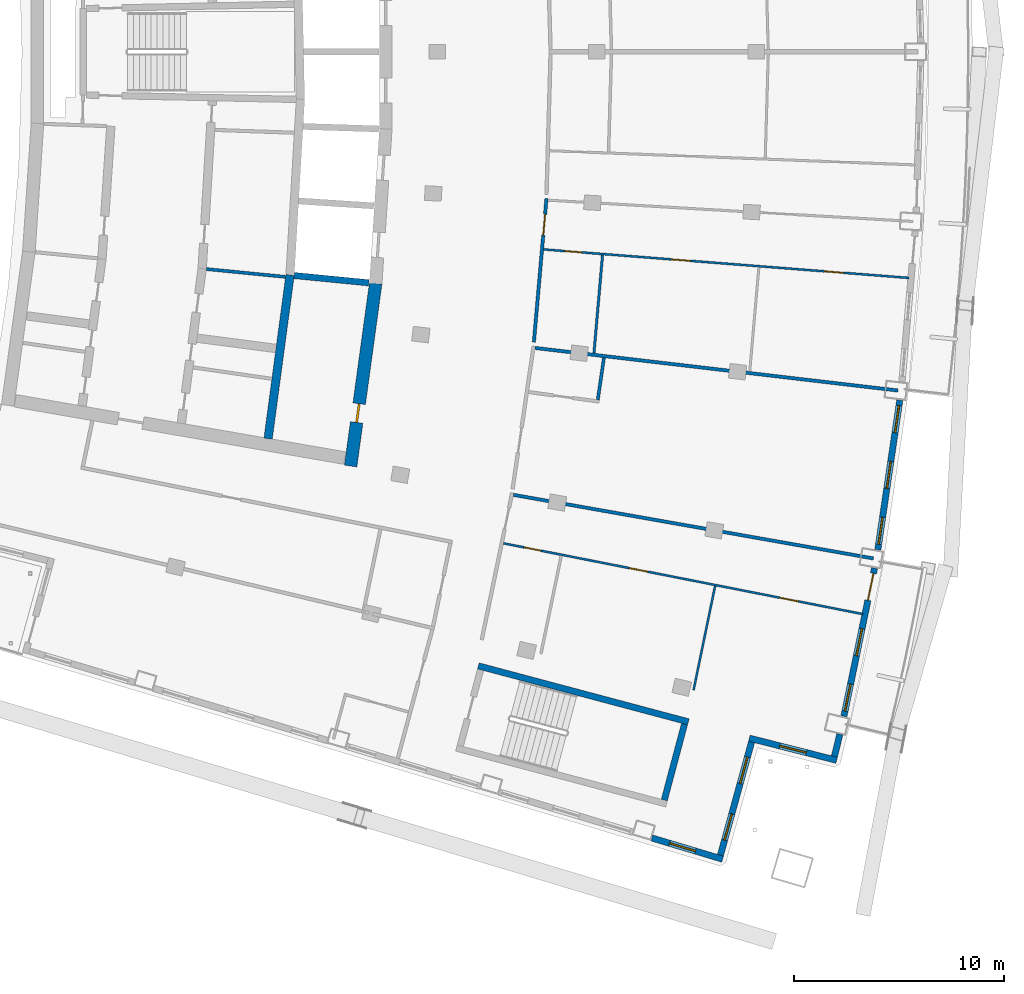
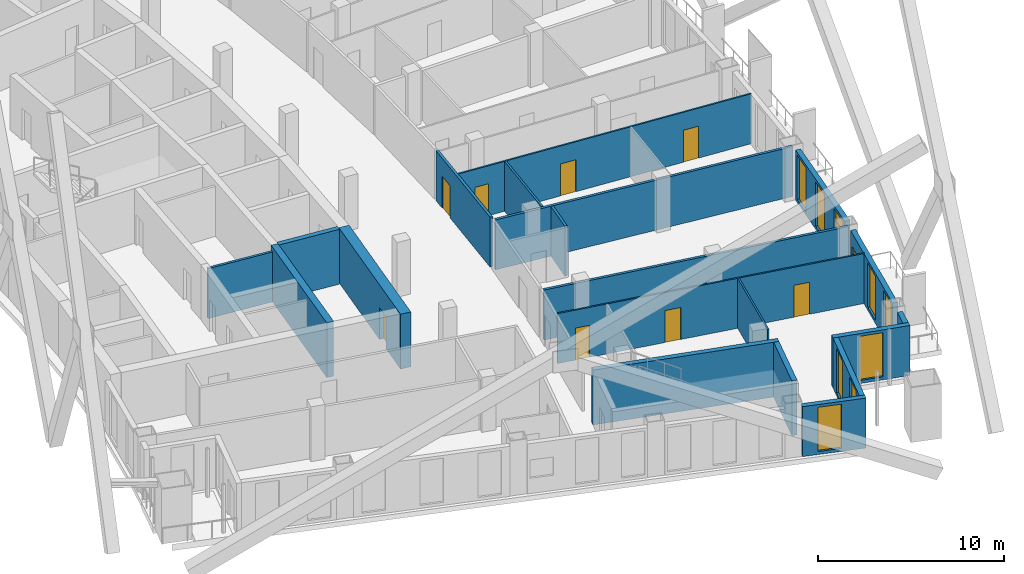
# One storey, part 11 of 20: 20 walls, 9 doors, 9 windows, 18 openings.
"""IFC4 building model written with IfcOpenShell, lengths in metres."""

from ifc_helpers import new_model, si_unit, direction, frame, frame_2d, origin, place, context, subcontext, project, spatial, rectangle, extrude, material, layer, layer_set, type_object, element, fill, save


model = new_model("IFC4")

# Units and contexts
model_context = context("Model", 3, precision=1e-05, world=origin(), true_north=direction((0.0, 1.0)))
body_context = subcontext(model_context, "Body", "Model", "MODEL_VIEW")
ifc_project = project(units=[si_unit("LENGTHUNIT", "METRE"), si_unit("AREAUNIT", "SQUARE_METRE"), si_unit("VOLUMEUNIT", "CUBIC_METRE"), si_unit("PLANEANGLEUNIT", "RADIAN"), si_unit("MASSUNIT", "GRAM", prefix="KILO")], contexts=[model_context])

# Site, building, storey
site_placement = place(None, origin())
site = spatial("IfcSite", under=ifc_project, at=site_placement, CompositionType="ELEMENT")
building_placement = place(site_placement, origin())
building = spatial("IfcBuilding", under=site, at=building_placement, Name="Alderwake Tower", CompositionType="ELEMENT")
storey_placement = place(building_placement, frame((0.0, 0.0, 189.199951171875)))
storey = spatial("IfcBuildingStorey", under=building, at=storey_placement, Name="L46", CompositionType="ELEMENT", Elevation=189.199951171875)

# Wall
ifc_material_1 = material(Name="Gypsum shaft wall system, rated")
ifc_layer_1 = layer(ifc_material_1, 0.14990234375)
ifc_layer_set_1 = layer_set([ifc_layer_1], Name="Core room partition 150")
wall_type_1 = type_object("IfcWallType", Name="Core room partition 150", PredefinedType="PARTITIONING", material=ifc_layer_set_1)
wall_1_placement = place(storey_placement, frame((24.789794921875, 50.64501953125, 0.0), z_axis=(0.0, 0.0, 1.0), x_axis=(0.995153039802, -0.098338331148, 0.0)))
element("IfcWall", 1, at=wall_1_placement, inside=storey, type_object=wall_type_1, Name="CW/L46/PR-103_+86", PredefinedType="PARTITIONING", context=body_context, shape_type="SweptSolid", body=[
    extrude(rectangle(XDim=3.7958984375, YDim=0.14990234375, at=frame_2d((1.89794921875, 0.0))), origin(), (0.0, 0.0, 1.0), 3.280029296875),
])

# Wall, opening, door
ifc_material_2 = material(Name="Concrete C70/85", Category="concrete")
ifc_layer_2 = layer(ifc_material_2, 0.60009765625)
ifc_layer_set_2 = layer_set([ifc_layer_2], Name="Core wall outer 600 C70-85")
wall_type_2 = type_object("IfcWallType", Name="Core wall outer 600 C70-85", PredefinedType="SHEAR", material=ifc_layer_set_2)
wall_2_placement = place(storey_placement, frame((32.862548828125, 49.967529296875, 0.0), z_axis=(0.0, 0.0, 1.0), x_axis=(-0.135856583698, -0.990728514108, 0.0)))
wall_2 = element("IfcWall", 2, at=wall_2_placement, inside=storey, type_object=wall_type_2, Name="Core wall CW.017", PredefinedType="SHEAR", context=body_context, shape_type="SweptSolid", body=[
    extrude(rectangle(XDim=8.79296875, YDim=0.60009765625, at=frame_2d((4.396484375, 0.0))), origin(), (0.0, 0.0, 1.0), 3.60009765625),
])
opening_1_placement = place(wall_2_placement, frame((5.79541015625, 0.0, 0.0)))
opening_1 = element("IfcOpeningElement", 3, at=opening_1_placement, cuts=wall_2, Name="Opening C060", PredefinedType="OPENING", context=body_context, shape_type="SweptSolid", body=[
    extrude(rectangle(XDim=0.89990234375, YDim=2.10009765625, at=frame_2d((0.449951171875, 1.050048828125))), frame((0.0, 0.31005859375, 0.0), z_axis=(0.0, -1.0, 0.0), x_axis=(1.0, 0.0, 0.0)), (0.0, 0.0, 1.0), 0.6201171875),
])
ifc_material_3 = material(Name="Painted steel leaf", Category="steel")
door_type_1 = type_object("IfcDoorType", Name="Core room door 900", OperationType="SINGLE_SWING_LEFT", PredefinedType="DOOR", material=ifc_material_3)
door_1_placement = place(opening_1_placement, origin())
door_1 = element("IfcDoor", 4, at=door_1_placement, inside=storey, type_object=door_type_1, Name="Room door", OperationType="SINGLE_SWING_RIGHT", OverallHeight=2.10009765625, OverallWidth=0.89990234375, PredefinedType="DOOR", context=body_context, shape_type="SweptSolid", body=[
    extrude(rectangle(XDim=0.89990234375, YDim=2.10009765625, at=frame_2d((0.449951171875, 1.050048828125))), frame((0.0, 0.050048828125, 0.0), z_axis=(0.0, -1.0, 0.0), x_axis=(1.0, 0.0, 0.0)), (0.0, 0.0, 1.0), 0.10009765625),
])
fill(opening_1, door_1)

# Walls
ifc_material_4 = material(Name="Concrete C70/85", Category="concrete")
ifc_layer_3 = layer(ifc_material_4, 0.300048828125)
ifc_layer_set_3 = layer_set([ifc_layer_3], Name="Core wall shaft 300 C70-85")
wall_type_3 = type_object("IfcWallType", Name="Core wall shaft 300 C70-85", PredefinedType="SHEAR", material=ifc_layer_set_3)
wall_3_placement = place(storey_placement, frame((28.9794921875, 50.336181640625, 0.0), z_axis=(0.0, 0.0, 1.0), x_axis=(0.995246218868, -0.097390778977, 0.0)))
element("IfcWall", 5, at=wall_3_placement, inside=storey, type_object=wall_type_3, Name="Core wall CW.064", PredefinedType="SHEAR", context=body_context, shape_type="SweptSolid", body=[
    extrude(rectangle(XDim=3.56982421875, YDim=0.300048828125, at=frame_2d((1.784912109375, 0.0))), origin(), (0.0, 0.0, 1.0), 3.60009765625),
])
ifc_material_5 = material(Name="Concrete C70/85", Category="concrete")
ifc_layer_4 = layer(ifc_material_5, 0.39990234375)
ifc_layer_set_4 = layer_set([ifc_layer_4], Name="Core wall spine 400 C70-85")
wall_type_4 = type_object("IfcWallType", Name="Core wall spine 400 C70-85", PredefinedType="SHEAR", material=ifc_layer_set_4)
wall_4_placement = place(storey_placement, frame((27.7333984375, 42.56103515625, 0.0), z_axis=(0.0, 0.0, 1.0), x_axis=(0.133132598714, 0.991098234869, 0.0)))
element("IfcWall", 6, at=wall_4_placement, inside=storey, type_object=wall_type_4, Name="Core wall CW.006", PredefinedType="SHEAR", context=body_context, shape_type="SweptSolid", body=[
    extrude(rectangle(XDim=7.87255859375, YDim=0.39990234375, at=frame_2d((3.936279296875, 0.0))), origin(), (0.0, 0.0, 1.0), 3.60009765625),
])
ifc_material_6 = material(Name="Concrete C70/85", Category="concrete")
ifc_layer_5 = layer(ifc_material_6, 0.300048828125)
ifc_layer_set_5 = layer_set([ifc_layer_5], Name="Core wall stair enclosure 300 C70-85")
wall_type_5 = type_object("IfcWallType", Name="Core wall stair enclosure 300 C70-85", PredefinedType="SHEAR", material=ifc_layer_set_5)
wall_5_placement = place(storey_placement, frame((37.75390625, 31.731201171875, 0.0), z_axis=(0.0, 0.0, 1.0), x_axis=(0.966309214305, -0.257383958996, 0.0)))
element("IfcWall", 7, at=wall_5_placement, inside=storey, type_object=wall_type_5, Name="Core wall CW.086", PredefinedType="SHEAR", context=body_context, shape_type="SweptSolid", body=[
    extrude(rectangle(XDim=10.360107421875, YDim=0.300048828125, at=frame_2d((5.18017578125, 0.0))), origin(), (0.0, 0.0, 1.0), 3.60009765625),
])
wall_6_placement = place(storey_placement, frame((46.6162109375, 25.334716796875, 0.0), z_axis=(0.0, 0.0, 1.0), x_axis=(0.257366821694, 0.966313778796, 0.0)))
element("IfcWall", 8, at=wall_6_placement, inside=storey, type_object=wall_type_5, Name="Core wall CW.085", PredefinedType="SHEAR", context=body_context, shape_type="SweptSolid", body=[
    extrude(rectangle(XDim=3.749755859375, YDim=0.300048828125, at=frame_2d((1.875, 0.0))), origin(), (0.0, 0.0, 1.0), 3.60009765625),
])

# Wall, opening, door
ifc_material_7 = material(Name="Gypsum board on metal studs, rated")
ifc_layer_6 = layer(ifc_material_7, 0.159912109375)
ifc_layer_set_6 = layer_set([ifc_layer_6], Name="Corridor wall 160")
wall_type_6 = type_object("IfcWallType", Name="Corridor wall 160", PredefinedType="PARTITIONING", material=ifc_layer_set_6)
wall_7_placement = place(storey_placement, frame((41.001953125, 54.013671875, 0.0), z_axis=(0.0, 0.0, 1.0), x_axis=(-0.087419573149, -0.996171580718, 0.0)))
wall_7 = element("IfcWall", 9, at=wall_7_placement, inside=storey, type_object=wall_type_6, Name="WL/L46/W23", PredefinedType="PARTITIONING", context=body_context, shape_type="SweptSolid", body=[
    extrude(rectangle(XDim=6.88134765625, YDim=0.159912109375, at=frame_2d((3.440673828125, 0.0))), origin(), (0.0, 0.0, 1.0), 3.280029296875),
])
opening_2_placement = place(wall_7_placement, frame((0.75830078125, 0.0, 0.0)))
opening_2 = element("IfcOpeningElement", 10, at=opening_2_placement, cuts=wall_7, Name="Opening R13-U04.2", PredefinedType="OPENING", context=body_context, shape_type="SweptSolid", body=[
    extrude(rectangle(XDim=1.0, YDim=2.10009765625, at=frame_2d((0.5, 1.050048828125))), frame((0.0, 0.08984375, 0.0), z_axis=(0.0, -1.0, 0.0), x_axis=(1.0, 0.0, 0.0)), (0.0, 0.0, 1.0), 0.179931640625),
])
ifc_material_8 = material(Name="Solid timber leaf in steel frame", Category="steel")
door_type_2 = type_object("IfcDoorType", Name="Flat entrance door 1000 fire-rated", OperationType="SINGLE_SWING_LEFT", PredefinedType="DOOR", material=ifc_material_8)
door_2_placement = place(opening_2_placement, origin())
door_2 = element("IfcDoor", 11, at=door_2_placement, inside=storey, type_object=door_type_2, Name="DR/L46/U04.2", OperationType="SINGLE_SWING_LEFT", OverallHeight=2.10009765625, OverallWidth=1.0, PredefinedType="DOOR", context=body_context, shape_type="SweptSolid", body=[
    extrude(rectangle(XDim=1.0, YDim=2.10009765625, at=frame_2d((0.5, 1.050048828125))), frame((0.0, 0.02490234375, 0.0), z_axis=(0.0, -1.0, 0.0), x_axis=(1.0, 0.0, 0.0)), (0.0, 0.0, 1.0), 0.050048828125),
])
fill(opening_2, door_2)

# Walls
wall_8_placement = place(storey_placement, frame((56.5830078125, 36.85205078125, 0.0), z_axis=(0.0, 0.0, 1.0), x_axis=(-0.984749823473, 0.173976392566, 0.0)))
element("IfcWall", 12, at=wall_8_placement, inside=storey, type_object=wall_type_6, Name="WL/L46/W28", PredefinedType="PARTITIONING", context=body_context, shape_type="SweptSolid", body=[
    extrude(rectangle(XDim=17.421875, YDim=0.159912109375, at=frame_2d((8.7109375, 0.0))), origin(), (0.0, 0.0, 1.0), 3.280029296875),
])
wall_9_placement = place(storey_placement, frame((57.756103515625, 44.85595703125, 0.0), z_axis=(0.0, 0.0, 1.0), x_axis=(-0.993199884599, 0.116421601229, 0.0)))
element("IfcWall", 13, at=wall_9_placement, inside=storey, type_object=wall_type_6, Name="WL/L46/W29", PredefinedType="PARTITIONING", context=body_context, shape_type="SweptSolid", body=[
    extrude(rectangle(XDim=17.41796875, YDim=0.159912109375, at=frame_2d((8.708984375, 0.0))), origin(), (0.0, 0.0, 1.0), 3.280029296875),
])
ifc_material_9 = material(Name="Precast concrete C50/60 spandrel panel", Category="concrete")
ifc_layer_7 = layer(ifc_material_9, 0.300048828125)
ifc_layer_set_7 = layer_set([ifc_layer_7], Name="External wall EW1 Precast concrete C50/60 spandrel")
wall_type_7 = type_object("IfcWallType", Name="External wall EW1 Precast concrete C50/60 spandrel", PredefinedType="SOLIDWALL", material=ifc_layer_set_7)
wall_10_placement = place(storey_placement, frame((54.723876953125, 27.413818359375, 0.0), z_axis=(0.0, 0.0, 1.0), x_axis=(0.238229467514, 0.971208896586, 0.0)))
element("IfcWall", 14, at=wall_10_placement, inside=storey, type_object=wall_type_7, Name="External wall 11", PredefinedType="SOLIDWALL", context=body_context, shape_type="SweptSolid", body=[
    extrude(rectangle(XDim=1.094482421875, YDim=0.300048828125, at=frame_2d((0.54736328125, 0.0))), origin(), (0.0, 0.0, 1.0), 3.280029296875),
])

# Wall, openings, door, windows
wall_11_placement = place(storey_placement, frame((55.177978515625, 29.3330078125, 0.0), z_axis=(0.0, 0.0, 1.0), x_axis=(0.202740086823, 0.979232585852, 0.0)))
wall_11 = element("IfcWall", 15, at=wall_11_placement, inside=storey, type_object=wall_type_7, Name="External wall 12", PredefinedType="SOLIDWALL", context=body_context, shape_type="SweptSolid", body=[
    extrude(rectangle(XDim=7.20361328125, YDim=0.300048828125, at=frame_2d((3.601806640625, 0.0))), origin(), (0.0, 0.0, 1.0), 3.280029296875),
])
opening_3_placement = place(wall_11_placement, frame((0.257080078125, 0.0, 0.199951171875)))
opening_3 = element("IfcOpeningElement", 16, at=opening_3_placement, cuts=wall_11, Name="Opening W1", PredefinedType="OPENING", context=body_context, shape_type="SweptSolid", body=[
    extrude(rectangle(XDim=1.300048828125, YDim=2.89990234375, at=frame_2d((0.64990234375, 1.449951171875))), frame((0.0, 0.159912109375, 0.0), z_axis=(0.0, -1.0, 0.0), x_axis=(1.0, 0.0, 0.0)), (0.0, 0.0, 1.0), 0.320068359375),
])
opening_4_placement = place(wall_11_placement, frame((2.951904296875, 0.0, 0.199951171875)))
opening_4 = element("IfcOpeningElement", 17, at=opening_4_placement, cuts=wall_11, Name="Opening W1", PredefinedType="OPENING", context=body_context, shape_type="SweptSolid", body=[
    extrude(rectangle(XDim=1.300048828125, YDim=2.89990234375, at=frame_2d((0.64990234375, 1.449951171875))), frame((0.0, 0.159912109375, 0.0), z_axis=(0.0, -1.0, 0.0), x_axis=(1.0, 0.0, 0.0)), (0.0, 0.0, 1.0), 0.320068359375),
])
opening_5_placement = place(wall_11_placement, frame((5.646484375, 0.0, 0.0)))
opening_5 = element("IfcOpeningElement", 18, at=opening_5_placement, cuts=wall_11, Name="Opening D02", PredefinedType="OPENING", context=body_context, shape_type="SweptSolid", body=[
    extrude(rectangle(XDim=1.300048828125, YDim=2.39990234375, at=frame_2d((0.64990234375, 1.199951171875))), frame((0.0, 0.159912109375, 0.0), z_axis=(0.0, -1.0, 0.0), x_axis=(1.0, 0.0, 0.0)), (0.0, 0.0, 1.0), 0.320068359375),
])
ifc_material_10 = material(Name="Bronze tinted glass in aluminium frame", Category="aluminium")
door_type_3 = type_object("IfcDoorType", Name="Balcony door BD sliding", OperationType="SLIDING_TO_LEFT", PredefinedType="DOOR", material=ifc_material_10)
door_3_placement = place(opening_5_placement, origin())
door_3 = element("IfcDoor", 19, at=door_3_placement, inside=storey, type_object=door_type_3, Name="Door D02", OperationType="SLIDING_TO_LEFT", OverallHeight=2.39990234375, OverallWidth=1.300048828125, PredefinedType="DOOR", context=body_context, shape_type="SweptSolid", body=[
    extrude(rectangle(XDim=1.300048828125, YDim=2.39990234375, at=frame_2d((0.64990234375, 1.199951171875))), frame((0.0, 0.02490234375, 0.0), z_axis=(0.0, -1.0, 0.0), x_axis=(1.0, 0.0, 0.0)), (0.0, 0.0, 1.0), 0.050048828125),
])
fill(opening_5, door_3)
ifc_material_11 = material(Name="Bronze tinted glass in aluminium frame", Category="aluminium")
window_type = type_object("IfcWindowType", Name="Window W1 tall fixed and vent", PartitioningType="DOUBLE_PANEL_VERTICAL", PredefinedType="WINDOW", material=ifc_material_11)
window_1_placement = place(opening_3_placement, origin())
window_1 = element("IfcWindow", 20, at=window_1_placement, inside=storey, type_object=window_type, Name="Window W1 tall fixed and vent", OverallHeight=2.89990234375, OverallWidth=1.300048828125, PartitioningType="DOUBLE_PANEL_VERTICAL", PredefinedType="WINDOW", context=body_context, shape_type="SweptSolid", body=[
    extrude(rectangle(XDim=1.300048828125, YDim=2.89990234375, at=frame_2d((0.64990234375, 1.449951171875))), frame((0.0, 0.030029296875, 0.0), z_axis=(0.0, -1.0, 0.0), x_axis=(1.0, 0.0, 0.0)), (0.0, 0.0, 1.0), 0.06005859375),
])
fill(opening_3, window_1)
window_2_placement = place(opening_4_placement, origin())
window_2 = element("IfcWindow", 21, at=window_2_placement, inside=storey, type_object=window_type, Name="Window W1 tall fixed and vent", OverallHeight=2.89990234375, OverallWidth=1.300048828125, PartitioningType="DOUBLE_PANEL_VERTICAL", PredefinedType="WINDOW", context=body_context, shape_type="SweptSolid", body=[
    extrude(rectangle(XDim=1.300048828125, YDim=2.89990234375, at=frame_2d((0.64990234375, 1.449951171875))), frame((0.0, 0.030029296875, 0.0), z_axis=(0.0, -1.0, 0.0), x_axis=(1.0, 0.0, 0.0)), (0.0, 0.0, 1.0), 0.06005859375),
])
fill(opening_4, window_2)

# Wall, openings, windows
wall_12_placement = place(storey_placement, frame((56.794189453125, 37.267578125, 0.0), z_axis=(0.0, 0.0, 1.0), x_axis=(0.145320319938, 0.98938465958, 0.0)))
wall_12 = element("IfcWall", 22, at=wall_12_placement, inside=storey, type_object=wall_type_7, Name="External wall 13", PredefinedType="SOLIDWALL", context=body_context, shape_type="SweptSolid", body=[
    extrude(rectangle(XDim=7.203857421875, YDim=0.300048828125, at=frame_2d((3.60205078125, 0.0))), origin(), (0.0, 0.0, 1.0), 3.280029296875),
])
opening_6_placement = place(wall_12_placement, frame((0.257080078125, 0.0, 0.199951171875)))
opening_6 = element("IfcOpeningElement", 23, at=opening_6_placement, cuts=wall_12, Name="Opening W1", PredefinedType="OPENING", context=body_context, shape_type="SweptSolid", body=[
    extrude(rectangle(XDim=1.300048828125, YDim=2.89990234375, at=frame_2d((0.64990234375, 1.449951171875))), frame((0.0, 0.159912109375, 0.0), z_axis=(0.0, -1.0, 0.0), x_axis=(1.0, 0.0, 0.0)), (0.0, 0.0, 1.0), 0.320068359375),
])
opening_7_placement = place(wall_12_placement, frame((2.951904296875, 0.0, 0.199951171875)))
opening_7 = element("IfcOpeningElement", 24, at=opening_7_placement, cuts=wall_12, Name="Opening W1", PredefinedType="OPENING", context=body_context, shape_type="SweptSolid", body=[
    extrude(rectangle(XDim=1.300048828125, YDim=2.89990234375, at=frame_2d((0.64990234375, 1.449951171875))), frame((0.0, 0.159912109375, 0.0), z_axis=(0.0, -1.0, 0.0), x_axis=(1.0, 0.0, 0.0)), (0.0, 0.0, 1.0), 0.320068359375),
])
opening_8_placement = place(wall_12_placement, frame((5.646484375, 0.0, 0.199951171875)))
opening_8 = element("IfcOpeningElement", 25, at=opening_8_placement, cuts=wall_12, Name="Opening W1", PredefinedType="OPENING", context=body_context, shape_type="SweptSolid", body=[
    extrude(rectangle(XDim=1.300048828125, YDim=2.89990234375, at=frame_2d((0.64990234375, 1.449951171875))), frame((0.0, 0.159912109375, 0.0), z_axis=(0.0, -1.0, 0.0), x_axis=(1.0, 0.0, 0.0)), (0.0, 0.0, 1.0), 0.320068359375),
])
window_3_placement = place(opening_6_placement, origin())
window_3 = element("IfcWindow", 26, at=window_3_placement, inside=storey, type_object=window_type, Name="Window W1 tall fixed and vent", OverallHeight=2.89990234375, OverallWidth=1.300048828125, PartitioningType="DOUBLE_PANEL_VERTICAL", PredefinedType="WINDOW", context=body_context, shape_type="SweptSolid", body=[
    extrude(rectangle(XDim=1.300048828125, YDim=2.89990234375, at=frame_2d((0.64990234375, 1.449951171875))), frame((0.0, 0.030029296875, 0.0), z_axis=(0.0, -1.0, 0.0), x_axis=(1.0, 0.0, 0.0)), (0.0, 0.0, 1.0), 0.06005859375),
])
fill(opening_6, window_3)
window_4_placement = place(opening_7_placement, origin())
window_4 = element("IfcWindow", 27, at=window_4_placement, inside=storey, type_object=window_type, Name="Window W1 tall fixed and vent", OverallHeight=2.89990234375, OverallWidth=1.300048828125, PartitioningType="DOUBLE_PANEL_VERTICAL", PredefinedType="WINDOW", context=body_context, shape_type="SweptSolid", body=[
    extrude(rectangle(XDim=1.300048828125, YDim=2.89990234375, at=frame_2d((0.64990234375, 1.449951171875))), frame((0.0, 0.030029296875, 0.0), z_axis=(0.0, -1.0, 0.0), x_axis=(1.0, 0.0, 0.0)), (0.0, 0.0, 1.0), 0.06005859375),
])
fill(opening_7, window_4)
window_5_placement = place(opening_8_placement, origin())
window_5 = element("IfcWindow", 28, at=window_5_placement, inside=storey, type_object=window_type, Name="Window W1 tall fixed and vent", OverallHeight=2.89990234375, OverallWidth=1.300048828125, PartitioningType="DOUBLE_PANEL_VERTICAL", PredefinedType="WINDOW", context=body_context, shape_type="SweptSolid", body=[
    extrude(rectangle(XDim=1.300048828125, YDim=2.89990234375, at=frame_2d((0.64990234375, 1.449951171875))), frame((0.0, 0.030029296875, 0.0), z_axis=(0.0, -1.0, 0.0), x_axis=(1.0, 0.0, 0.0)), (0.0, 0.0, 1.0), 0.06005859375),
])
fill(opening_8, window_5)

# Wall, opening, window
ifc_material_12 = material(Name="Bronze metal cladding on lightweight framing")
ifc_layer_8 = layer(ifc_material_12, 0.300048828125)
ifc_layer_set_8 = layer_set([ifc_layer_8], Name="External wall EW2 bronze metal cladding")
wall_type_8 = type_object("IfcWallType", Name="External wall EW2 bronze metal cladding", PredefinedType="SOLIDWALL", material=ifc_layer_set_8)
wall_13_placement = place(storey_placement, frame((46.023193359375, 23.529541015625, 0.0), z_axis=(0.0, 0.0, 1.0), x_axis=(0.957772837348, -0.287525984978, 0.0)))
wall_13 = element("IfcWall", 29, at=wall_13_placement, inside=storey, type_object=wall_type_8, Name="External wall 8", PredefinedType="SOLIDWALL", context=body_context, shape_type="SweptSolid", body=[
    extrude(rectangle(XDim=3.521240234375, YDim=0.300048828125, at=frame_2d((1.7607421875, 0.0))), origin(), (0.0, 0.0, 1.0), 3.280029296875),
])
opening_9_placement = place(wall_13_placement, frame((0.872314453125, 0.0, 0.199951171875)))
opening_9 = element("IfcOpeningElement", 30, at=opening_9_placement, cuts=wall_13, Name="Opening W1", PredefinedType="OPENING", context=body_context, shape_type="SweptSolid", body=[
    extrude(rectangle(XDim=1.300048828125, YDim=2.89990234375, at=frame_2d((0.64990234375, 1.449951171875))), frame((0.0, 0.159912109375, 0.0), z_axis=(0.0, -1.0, 0.0), x_axis=(1.0, 0.0, 0.0)), (0.0, 0.0, 1.0), 0.320068359375),
])
window_6_placement = place(opening_9_placement, origin())
window_6 = element("IfcWindow", 31, at=window_6_placement, inside=storey, type_object=window_type, Name="Window W1 tall fixed and vent", OverallHeight=2.89990234375, OverallWidth=1.300048828125, PartitioningType="DOUBLE_PANEL_VERTICAL", PredefinedType="WINDOW", context=body_context, shape_type="SweptSolid", body=[
    extrude(rectangle(XDim=1.300048828125, YDim=2.89990234375, at=frame_2d((0.64990234375, 1.449951171875))), frame((0.0, 0.030029296875, 0.0), z_axis=(0.0, -1.0, 0.0), x_axis=(1.0, 0.0, 0.0)), (0.0, 0.0, 1.0), 0.06005859375),
])
fill(opening_9, window_6)

# Wall, openings, windows
wall_14_placement = place(storey_placement, frame((49.2919921875, 22.704833984375, 0.0), z_axis=(0.0, 0.0, 1.0), x_axis=(0.26510175808, 0.964220440492, 0.0)))
wall_14 = element("IfcWall", 32, at=wall_14_placement, inside=storey, type_object=wall_type_8, Name="External wall 9", PredefinedType="SOLIDWALL", context=body_context, shape_type="SweptSolid", body=[
    extrude(rectangle(XDim=5.599365234375, YDim=0.300048828125, at=frame_2d((2.7998046875, 0.0))), origin(), (0.0, 0.0, 1.0), 3.280029296875),
])
opening_10_placement = place(wall_14_placement, frame((0.749755859375, 0.0, 0.199951171875)))
opening_10 = element("IfcOpeningElement", 33, at=opening_10_placement, cuts=wall_14, Name="Opening W1", PredefinedType="OPENING", context=body_context, shape_type="SweptSolid", body=[
    extrude(rectangle(XDim=1.300048828125, YDim=2.89990234375, at=frame_2d((0.64990234375, 1.449951171875))), frame((0.0, 0.159912109375, 0.0), z_axis=(0.0, -1.0, 0.0), x_axis=(1.0, 0.0, 0.0)), (0.0, 0.0, 1.0), 0.320068359375),
])
opening_11_placement = place(wall_14_placement, frame((3.54931640625, 0.0, 0.199951171875)))
opening_11 = element("IfcOpeningElement", 34, at=opening_11_placement, cuts=wall_14, Name="Opening W1", PredefinedType="OPENING", context=body_context, shape_type="SweptSolid", body=[
    extrude(rectangle(XDim=1.300048828125, YDim=2.89990234375, at=frame_2d((0.64990234375, 1.449951171875))), frame((0.0, 0.159912109375, 0.0), z_axis=(0.0, -1.0, 0.0), x_axis=(1.0, 0.0, 0.0)), (0.0, 0.0, 1.0), 0.320068359375),
])
window_7_placement = place(opening_10_placement, origin())
window_7 = element("IfcWindow", 35, at=window_7_placement, inside=storey, type_object=window_type, Name="Window W1 tall fixed and vent", OverallHeight=2.89990234375, OverallWidth=1.300048828125, PartitioningType="DOUBLE_PANEL_VERTICAL", PredefinedType="WINDOW", context=body_context, shape_type="SweptSolid", body=[
    extrude(rectangle(XDim=1.300048828125, YDim=2.89990234375, at=frame_2d((0.64990234375, 1.449951171875))), frame((0.0, 0.030029296875, 0.0), z_axis=(0.0, -1.0, 0.0), x_axis=(1.0, 0.0, 0.0)), (0.0, 0.0, 1.0), 0.06005859375),
])
fill(opening_10, window_7)
window_8_placement = place(opening_11_placement, origin())
window_8 = element("IfcWindow", 36, at=window_8_placement, inside=storey, type_object=window_type, Name="Window W1 tall fixed and vent", OverallHeight=2.89990234375, OverallWidth=1.300048828125, PartitioningType="DOUBLE_PANEL_VERTICAL", PredefinedType="WINDOW", context=body_context, shape_type="SweptSolid", body=[
    extrude(rectangle(XDim=1.300048828125, YDim=2.89990234375, at=frame_2d((0.64990234375, 1.449951171875))), frame((0.0, 0.030029296875, 0.0), z_axis=(0.0, -1.0, 0.0), x_axis=(1.0, 0.0, 0.0)), (0.0, 0.0, 1.0), 0.06005859375),
])
fill(opening_11, window_8)

# Wall, opening, window
wall_15_placement = place(storey_placement, frame((50.670654296875, 28.28515625, 0.0), z_axis=(0.0, 0.0, 1.0), x_axis=(0.969425962264, -0.245383992325, 0.0)))
wall_15 = element("IfcWall", 37, at=wall_15_placement, inside=storey, type_object=wall_type_8, Name="External wall 10", PredefinedType="SOLIDWALL", context=body_context, shape_type="SweptSolid", body=[
    extrude(rectangle(XDim=4.294189453125, YDim=0.300048828125, at=frame_2d((2.14697265625, 0.0))), origin(), (0.0, 0.0, 1.0), 3.280029296875),
])
opening_12_placement = place(wall_15_placement, frame((1.4970703125, 0.0, 0.199951171875)))
opening_12 = element("IfcOpeningElement", 38, at=opening_12_placement, cuts=wall_15, Name="Opening W1", PredefinedType="OPENING", context=body_context, shape_type="SweptSolid", body=[
    extrude(rectangle(XDim=1.300048828125, YDim=2.89990234375, at=frame_2d((0.64990234375, 1.449951171875))), frame((0.0, 0.159912109375, 0.0), z_axis=(0.0, -1.0, 0.0), x_axis=(1.0, 0.0, 0.0)), (0.0, 0.0, 1.0), 0.320068359375),
])
window_9_placement = place(opening_12_placement, origin())
window_9 = element("IfcWindow", 39, at=window_9_placement, inside=storey, type_object=window_type, Name="Window W1 tall fixed and vent", OverallHeight=2.89990234375, OverallWidth=1.300048828125, PartitioningType="DOUBLE_PANEL_VERTICAL", PredefinedType="WINDOW", context=body_context, shape_type="SweptSolid", body=[
    extrude(rectangle(XDim=1.300048828125, YDim=2.89990234375, at=frame_2d((0.64990234375, 1.449951171875))), frame((0.0, 0.030029296875, 0.0), z_axis=(0.0, -1.0, 0.0), x_axis=(1.0, 0.0, 0.0)), (0.0, 0.0, 1.0), 0.06005859375),
])
fill(opening_12, window_9)

# Wall
ifc_material_13 = material(Name="Gypsum shaft wall system, rated")
ifc_layer_9 = layer(ifc_material_13, 0.14990234375)
ifc_layer_set_9 = layer_set([ifc_layer_9], Name="Riser and shaft wall 150")
wall_type_9 = type_object("IfcWallType", Name="Riser and shaft wall 150", PredefinedType="PARTITIONING", material=ifc_layer_set_9)
wall_16_placement = place(storey_placement, frame((43.44775390625, 44.414306640625, 0.0), z_axis=(0.0, 0.0, 1.0), x_axis=(0.144577466262, 0.989493484693, 0.0)))
element("IfcWall", 40, at=wall_16_placement, inside=storey, type_object=wall_type_9, Name="WL/L46/W07", PredefinedType="PARTITIONING", context=body_context, shape_type="SweptSolid", body=[
    extrude(rectangle(XDim=2.024658203125, YDim=0.14990234375, at=frame_2d((1.01220703125, 0.0))), origin(), (0.0, 0.0, 1.0), 3.280029296875),
])

# Wall, openings, doors
ifc_material_14 = material(Name="Gypsum board on metal studs")
ifc_layer_10 = layer(ifc_material_14, 0.10009765625)
ifc_layer_set_10 = layer_set([ifc_layer_10], Name="Unit partition 100")
wall_type_10 = type_object("IfcWallType", Name="Unit partition 100", PredefinedType="PARTITIONING", material=ifc_layer_set_10)
wall_17_placement = place(storey_placement, frame((56.08203125, 34.199951171875, 0.0), z_axis=(0.0, 0.0, 1.0), x_axis=(-0.981149196893, 0.193251787666, 0.0)))
wall_17 = element("IfcWall", 41, at=wall_17_placement, inside=storey, type_object=wall_type_10, Name="WL/L46/W43", PredefinedType="PARTITIONING", context=body_context, shape_type="SweptSolid", body=[
    extrude(rectangle(XDim=17.461669921875, YDim=0.10009765625, at=frame_2d((8.73095703125, 0.0))), origin(), (0.0, 0.0, 1.0), 3.280029296875),
])
opening_13_placement = place(wall_17_placement, frame((10.4560546875, 0.0, 0.0)))
opening_13 = element("IfcOpeningElement", 42, at=opening_13_placement, cuts=wall_17, Name="Opening R13-U03.1", PredefinedType="OPENING", context=body_context, shape_type="SweptSolid", body=[
    extrude(rectangle(XDim=0.89990234375, YDim=2.10009765625, at=frame_2d((0.449951171875, 1.050048828125))), frame((0.0, 0.06005859375, 0.0), z_axis=(0.0, -1.0, 0.0), x_axis=(1.0, 0.0, 0.0)), (0.0, 0.0, 1.0), 0.1201171875),
])
opening_14_placement = place(wall_17_placement, frame((15.652099609375, 0.0, 0.0)))
opening_14 = element("IfcOpeningElement", 43, at=opening_14_placement, cuts=wall_17, Name="Opening R13-U03.3", PredefinedType="OPENING", context=body_context, shape_type="SweptSolid", body=[
    extrude(rectangle(XDim=0.800048828125, YDim=2.10009765625, at=frame_2d((0.39990234375, 1.050048828125))), frame((0.0, 0.06005859375, 0.0), z_axis=(0.0, -1.0, 0.0), x_axis=(1.0, 0.0, 0.0)), (0.0, 0.0, 1.0), 0.1201171875),
])
opening_15_placement = place(wall_17_placement, frame((3.134521484375, 0.0, 0.0)))
opening_15 = element("IfcOpeningElement", 44, at=opening_15_placement, cuts=wall_17, Name="Opening R13-U03.4", PredefinedType="OPENING", context=body_context, shape_type="SweptSolid", body=[
    extrude(rectangle(XDim=0.89990234375, YDim=2.10009765625, at=frame_2d((0.449951171875, 1.050048828125))), frame((0.0, 0.06005859375, 0.0), z_axis=(0.0, -1.0, 0.0), x_axis=(1.0, 0.0, 0.0)), (0.0, 0.0, 1.0), 0.1201171875),
])
ifc_material_15 = material(Name="Painted timber leaf", Category="wood")
door_type_4 = type_object("IfcDoorType", Name="Bathroom door 800", OperationType="SINGLE_SWING_LEFT", PredefinedType="DOOR", material=ifc_material_15)
door_4_placement = place(opening_14_placement, origin())
door_4 = element("IfcDoor", 45, at=door_4_placement, inside=storey, type_object=door_type_4, Name="DR/L46/U03.3", OperationType="SINGLE_SWING_LEFT", OverallHeight=2.10009765625, OverallWidth=0.800048828125, PredefinedType="DOOR", context=body_context, shape_type="SweptSolid", body=[
    extrude(rectangle(XDim=0.800048828125, YDim=2.10009765625, at=frame_2d((0.39990234375, 1.050048828125))), frame((0.0, 0.02490234375, 0.0), z_axis=(0.0, -1.0, 0.0), x_axis=(1.0, 0.0, 0.0)), (0.0, 0.0, 1.0), 0.050048828125),
])
fill(opening_14, door_4)
ifc_material_16 = material(Name="Painted timber leaf", Category="wood")
door_type_5 = type_object("IfcDoorType", Name="Room door 900", OperationType="SINGLE_SWING_LEFT", PredefinedType="DOOR", material=ifc_material_16)
door_5_placement = place(opening_13_placement, origin())
door_5 = element("IfcDoor", 46, at=door_5_placement, inside=storey, type_object=door_type_5, Name="DR/L46/U03.1", OperationType="SINGLE_SWING_LEFT", OverallHeight=2.10009765625, OverallWidth=0.89990234375, PredefinedType="DOOR", context=body_context, shape_type="SweptSolid", body=[
    extrude(rectangle(XDim=0.89990234375, YDim=2.10009765625, at=frame_2d((0.449951171875, 1.050048828125))), frame((0.0, 0.02490234375, 0.0), z_axis=(0.0, -1.0, 0.0), x_axis=(1.0, 0.0, 0.0)), (0.0, 0.0, 1.0), 0.050048828125),
])
fill(opening_13, door_5)
door_6_placement = place(opening_15_placement, origin())
door_6 = element("IfcDoor", 47, at=door_6_placement, inside=storey, type_object=door_type_5, Name="DR/L46/U03.4", OperationType="SINGLE_SWING_LEFT", OverallHeight=2.10009765625, OverallWidth=0.89990234375, PredefinedType="DOOR", context=body_context, shape_type="SweptSolid", body=[
    extrude(rectangle(XDim=0.89990234375, YDim=2.10009765625, at=frame_2d((0.449951171875, 1.050048828125))), frame((0.0, 0.02490234375, 0.0), z_axis=(0.0, -1.0, 0.0), x_axis=(1.0, 0.0, 0.0)), (0.0, 0.0, 1.0), 0.050048828125),
])
fill(opening_15, door_6)

wall_18_placement = place(storey_placement, frame((58.278076171875, 50.222900390625, 0.0), z_axis=(0.0, 0.0, 1.0), x_axis=(-0.996967838028, 0.077814715426, 0.0)))
wall_18 = element("IfcWall", 48, at=wall_18_placement, inside=storey, type_object=wall_type_10, Name="WL/L46/W44", PredefinedType="PARTITIONING", context=body_context, shape_type="SweptSolid", body=[
    extrude(rectangle(XDim=17.463134765625, YDim=0.10009765625, at=frame_2d((8.7314453125, 0.0))), origin(), (0.0, 0.0, 1.0), 3.280029296875),
])
opening_16_placement = place(wall_18_placement, frame((10.45751953125, 0.0, 0.0)))
opening_16 = element("IfcOpeningElement", 49, at=opening_16_placement, cuts=wall_18, Name="Opening R13-U04.1", PredefinedType="OPENING", context=body_context, shape_type="SweptSolid", body=[
    extrude(rectangle(XDim=0.89990234375, YDim=2.10009765625, at=frame_2d((0.449951171875, 1.050048828125))), frame((0.0, 0.06005859375, 0.0), z_axis=(0.0, -1.0, 0.0), x_axis=(1.0, 0.0, 0.0)), (0.0, 0.0, 1.0), 0.1201171875),
])
opening_17_placement = place(wall_18_placement, frame((15.65380859375, 0.0, 0.0)))
opening_17 = element("IfcOpeningElement", 50, at=opening_17_placement, cuts=wall_18, Name="Opening R13-U04.3", PredefinedType="OPENING", context=body_context, shape_type="SweptSolid", body=[
    extrude(rectangle(XDim=0.800048828125, YDim=2.10009765625, at=frame_2d((0.39990234375, 1.050048828125))), frame((0.0, 0.06005859375, 0.0), z_axis=(0.0, -1.0, 0.0), x_axis=(1.0, 0.0, 0.0)), (0.0, 0.0, 1.0), 0.1201171875),
])
opening_18_placement = place(wall_18_placement, frame((3.1357421875, 0.0, 0.0)))
opening_18 = element("IfcOpeningElement", 51, at=opening_18_placement, cuts=wall_18, Name="Opening R13-U04.4", PredefinedType="OPENING", context=body_context, shape_type="SweptSolid", body=[
    extrude(rectangle(XDim=0.89990234375, YDim=2.10009765625, at=frame_2d((0.449951171875, 1.050048828125))), frame((0.0, 0.06005859375, 0.0), z_axis=(0.0, -1.0, 0.0), x_axis=(1.0, 0.0, 0.0)), (0.0, 0.0, 1.0), 0.1201171875),
])
door_7_placement = place(opening_17_placement, origin())
door_7 = element("IfcDoor", 52, at=door_7_placement, inside=storey, type_object=door_type_4, Name="DR/L46/U04.3", OperationType="SINGLE_SWING_LEFT", OverallHeight=2.10009765625, OverallWidth=0.800048828125, PredefinedType="DOOR", context=body_context, shape_type="SweptSolid", body=[
    extrude(rectangle(XDim=0.800048828125, YDim=2.10009765625, at=frame_2d((0.39990234375, 1.050048828125))), frame((0.0, 0.02490234375, 0.0), z_axis=(0.0, -1.0, 0.0), x_axis=(1.0, 0.0, 0.0)), (0.0, 0.0, 1.0), 0.050048828125),
])
fill(opening_17, door_7)
door_8_placement = place(opening_16_placement, origin())
door_8 = element("IfcDoor", 53, at=door_8_placement, inside=storey, type_object=door_type_5, Name="DR/L46/U04.1", OperationType="SINGLE_SWING_LEFT", OverallHeight=2.10009765625, OverallWidth=0.89990234375, PredefinedType="DOOR", context=body_context, shape_type="SweptSolid", body=[
    extrude(rectangle(XDim=0.89990234375, YDim=2.10009765625, at=frame_2d((0.449951171875, 1.050048828125))), frame((0.0, 0.02490234375, 0.0), z_axis=(0.0, -1.0, 0.0), x_axis=(1.0, 0.0, 0.0)), (0.0, 0.0, 1.0), 0.050048828125),
])
fill(opening_16, door_8)
door_9_placement = place(opening_18_placement, origin())
door_9 = element("IfcDoor", 54, at=door_9_placement, inside=storey, type_object=door_type_5, Name="DR/L46/U04.4", OperationType="SINGLE_SWING_LEFT", OverallHeight=2.10009765625, OverallWidth=0.89990234375, PredefinedType="DOOR", context=body_context, shape_type="SweptSolid", body=[
    extrude(rectangle(XDim=0.89990234375, YDim=2.10009765625, at=frame_2d((0.449951171875, 1.050048828125))), frame((0.0, 0.02490234375, 0.0), z_axis=(0.0, -1.0, 0.0), x_axis=(1.0, 0.0, 0.0)), (0.0, 0.0, 1.0), 0.050048828125),
])
fill(opening_18, door_9)

# Walls
wall_19_placement = place(storey_placement, frame((48.011962890625, 30.575927734375, 0.0), z_axis=(0.0, 0.0, 1.0), x_axis=(0.202312373165, 0.979321042184, 0.0)))
element("IfcWall", 55, at=wall_19_placement, inside=storey, type_object=wall_type_10, Name="WL/L46/W49", PredefinedType="PARTITIONING", context=body_context, shape_type="SweptSolid", body=[
    extrude(rectangle(XDim=5.06591796875, YDim=0.10009765625, at=frame_2d((2.532958984375, 0.0))), origin(), (0.0, 0.0, 1.0), 3.280029296875),
])
ifc_material_17 = material(Name="Moisture resistant gypsum board on metal studs")
ifc_layer_11 = layer(ifc_material_17, 0.1201171875)
ifc_layer_set_11 = layer_set([ifc_layer_11], Name="Wet room partition 120")
wall_type_11 = type_object("IfcWallType", Name="Wet room partition 120", PredefinedType="PARTITIONING", material=ifc_layer_set_11)
wall_20_placement = place(storey_placement, frame((43.263916015625, 46.6337890625, 0.0), z_axis=(0.0, 0.0, 1.0), x_axis=(0.087060499394, 0.996203026218, 0.0)))
element("IfcWall", 56, at=wall_20_placement, inside=storey, type_object=wall_type_11, Name="WL/L46/W37", PredefinedType="PARTITIONING", context=body_context, shape_type="SweptSolid", body=[
    extrude(rectangle(XDim=4.6943359375, YDim=0.1201171875, at=frame_2d((2.34716796875, 0.0))), origin(), (0.0, 0.0, 1.0), 3.280029296875),
])

save(model, "model.ifc")
